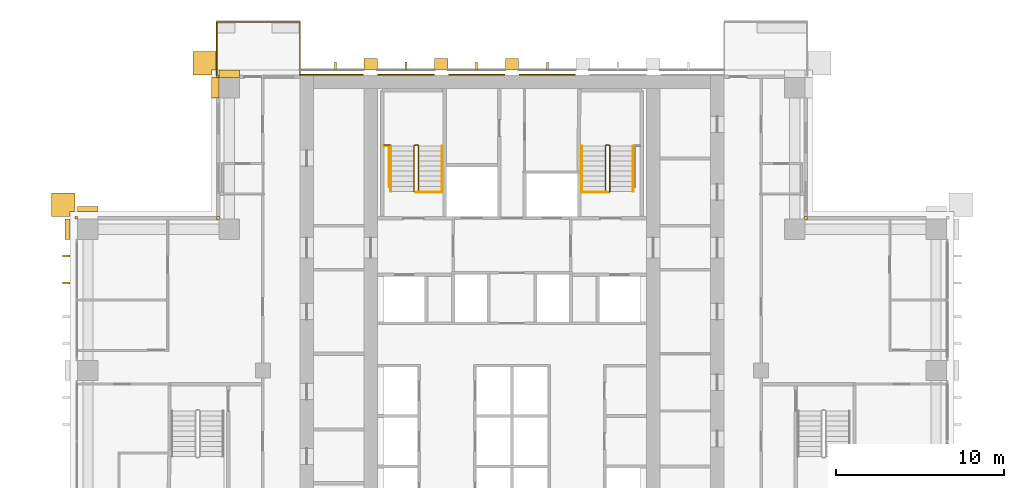
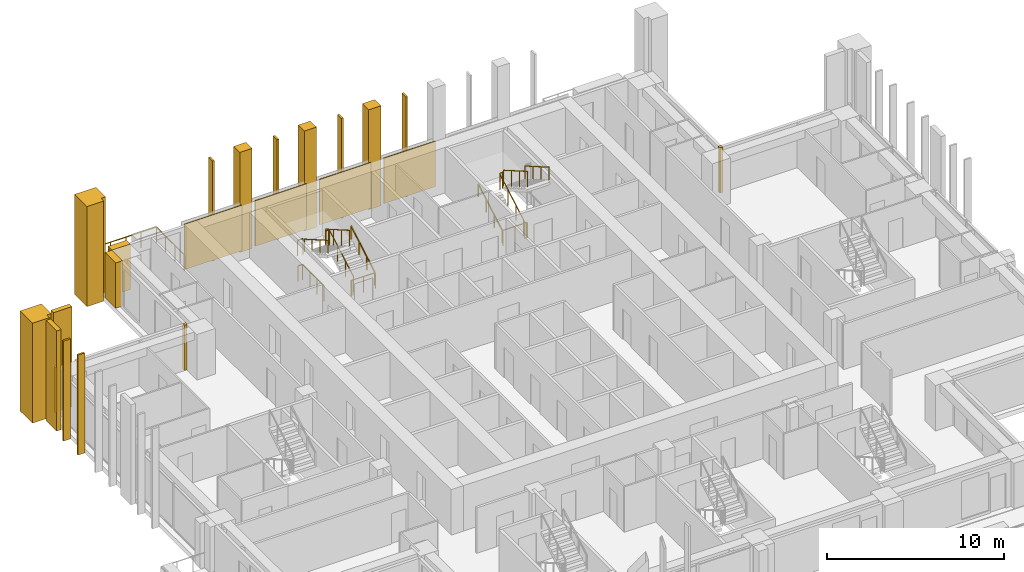
# One storey, part 18 of 19: 23 coverings, 11 railings.
"""IFC4 building model written with IfcOpenShell, lengths in metres."""

from ifc_helpers import new_model, si_unit, direction, frame, origin, origin_2d, place, context, subcontext, project, spatial, polyline, rectangle, outline, extrude, material, layer, layer_set, type_object, element, save


model = new_model("IFC4")

# Units and contexts
model_context = context("Model", 3, precision=1e-05, world=origin(), true_north=direction((0.0, 1.0)))
body_context = subcontext(model_context, "Body", "Model", "MODEL_VIEW")
ifc_project = project(units=[si_unit("LENGTHUNIT", "METRE"), si_unit("AREAUNIT", "SQUARE_METRE"), si_unit("VOLUMEUNIT", "CUBIC_METRE"), si_unit("PLANEANGLEUNIT", "RADIAN"), si_unit("MASSUNIT", "GRAM", prefix="KILO")], contexts=[model_context])

# Site, building, storey
site_placement = place(None, origin())
site = spatial("IfcSite", under=ifc_project, at=site_placement, CompositionType="ELEMENT")
building_placement = place(site_placement, origin())
building = spatial("IfcBuilding", under=site, at=building_placement, Name="Vermilion Ogive Tower", CompositionType="ELEMENT")
storey_placement = place(building_placement, frame((0.0, 0.0, 90.75)))
storey = spatial("IfcBuildingStorey", under=building, at=storey_placement, Name="L22", CompositionType="ELEMENT", Elevation=90.75)

# Railing
ifc_material_1 = material(Name="Stainless steel and glass", Category="steel")
railing_type_1 = type_object("IfcRailingType", Name="Balcony guard", PredefinedType="GUARDRAIL", material=ifc_material_1)
railing_1_placement = place(storey_placement, frame((-12.60009765625, 21.75, -0.0400390625)))
element("IfcRailing", 1, at=railing_1_placement, inside=storey, type_object=railing_type_1, Name="Guard N201", PredefinedType="GUARDRAIL", context=body_context, shape_type="SweptSolid", body=[
    extrude(rectangle(XDim=0.048095703125, YDim=0.048095703125, at=origin_2d()), frame((0.0, 0.0, 1.076171875), z_axis=(0.0, 1.0, 0.0), x_axis=(-1.0, 0.0, 0.0)), (0.0, 0.0, 1.0), 3.159912109375),
    extrude(rectangle(XDim=0.048095703125, YDim=0.048095703125, at=origin_2d()), frame((0.0, 3.159912109375, 1.076171875), z_axis=(-1.0, 0.0, 0.0), x_axis=(0.0, -1.0, 0.0)), (0.0, 0.0, 1.0), 4.949951171875),
    extrude(rectangle(XDim=0.048095703125, YDim=0.048095703125, at=origin_2d()), frame((-4.949951171875, 3.159912109375, 1.076171875), z_axis=(0.0, -1.0, 0.0), x_axis=(1.0, 0.0, 0.0)), (0.0, 0.0, 1.0), 3.159912109375),
    extrude(rectangle(XDim=0.0419921875, YDim=0.0419921875, at=origin_2d()), origin(), (0.0, 0.0, 1.0), 1.052001953125),
    extrude(rectangle(XDim=0.0419921875, YDim=0.0419921875, at=origin_2d()), frame((0.0, 1.05322265625, 0.0)), (0.0, 0.0, 1.0), 1.052001953125),
    extrude(rectangle(XDim=0.0419921875, YDim=0.0419921875, at=origin_2d()), frame((0.0, 2.106689453125, 0.0)), (0.0, 0.0, 1.0), 1.052001953125),
    extrude(rectangle(XDim=0.0419921875, YDim=0.0419921875, at=origin_2d()), frame((0.0, 3.159912109375, 0.0)), (0.0, 0.0, 1.0), 1.052001953125),
    extrude(rectangle(XDim=0.0419921875, YDim=0.0419921875, at=origin_2d()), frame((-0.989990234375, 3.159912109375, 0.0)), (0.0, 0.0, 1.0), 1.052001953125),
    extrude(rectangle(XDim=0.0419921875, YDim=0.0419921875, at=origin_2d()), frame((-1.97998046875, 3.159912109375, 0.0)), (0.0, 0.0, 1.0), 1.052001953125),
    extrude(rectangle(XDim=0.0419921875, YDim=0.0419921875, at=origin_2d()), frame((-2.969970703125, 3.159912109375, 0.0)), (0.0, 0.0, 1.0), 1.052001953125),
    extrude(rectangle(XDim=0.0419921875, YDim=0.0419921875, at=origin_2d()), frame((-3.9599609375, 3.159912109375, 0.0)), (0.0, 0.0, 1.0), 1.052001953125),
    extrude(rectangle(XDim=0.0419921875, YDim=0.0419921875, at=origin_2d()), frame((-4.949951171875, 3.159912109375, 0.0)), (0.0, 0.0, 1.0), 1.052001953125),
    extrude(rectangle(XDim=0.0419921875, YDim=0.0419921875, at=origin_2d()), frame((-4.949951171875, 2.106689453125, 0.0)), (0.0, 0.0, 1.0), 1.052001953125),
    extrude(rectangle(XDim=0.0419921875, YDim=0.0419921875, at=origin_2d()), frame((-4.949951171875, 1.05322265625, 0.0)), (0.0, 0.0, 1.0), 1.052001953125),
    extrude(rectangle(XDim=0.0419921875, YDim=0.0419921875, at=origin_2d()), frame((-4.949951171875, 0.0, 0.0)), (0.0, 0.0, 1.0), 1.052001953125),
])

# Coverings
ifc_material_2 = material(Name="Glazed ceramic screen")
ifc_layer = layer(ifc_material_2, 0.14990234375)
ifc_layer_set = layer_set([ifc_layer], Name="Ceramic solar screen fin")
covering_type_1 = type_object("IfcCoveringType", Name="Ceramic solar screen fin", PredefinedType="CLADDING", material=ifc_layer_set)
covering_1_placement = place(storey_placement, frame((0.0, 0.0, -0.320068359375)))
element("IfcCovering", 2, at=covering_1_placement, inside=storey, type_object=covering_type_1, Name="Solar screen blade W021", PredefinedType="CLADDING", context=body_context, shape_type="SweptSolid", body=[
    extrude(outline(polyline([(-26.699951171875, 11.06005859375), (-26.699951171875, 10.93994140625), (-26.25, 10.93994140625), (-26.25, 11.06005859375), (-26.699951171875, 11.06005859375)])), origin(), (0.0, 0.0, 1.0), 6.900146484375),
])
covering_2_placement = place(storey_placement, frame((0.0, 0.0, -0.320068359375)))
element("IfcCovering", 3, at=covering_2_placement, inside=storey, type_object=covering_type_1, Name="Solar screen blade W022", PredefinedType="CLADDING", context=body_context, shape_type="SweptSolid", body=[
    extrude(outline(polyline([(-26.699951171875, 9.4599609375), (-26.699951171875, 9.340087890625), (-26.25, 9.340087890625), (-26.25, 9.4599609375), (-26.699951171875, 9.4599609375)])), origin(), (0.0, 0.0, 1.0), 6.900146484375),
])
covering_3_placement = place(storey_placement, frame((0.0, 0.0, -0.320068359375)))
element("IfcCovering", 4, at=covering_3_placement, inside=storey, type_object=covering_type_1, Name="Solar screen blade N1", PredefinedType="CLADDING", context=body_context, shape_type="SweptSolid", body=[
    extrude(outline(polyline([(-10.56005859375, 22.08203125), (-10.43994140625, 22.08203125), (-10.43994140625, 22.531982421875), (-10.56005859375, 22.531982421875), (-10.56005859375, 22.08203125)])), origin(), (0.0, 0.0, 1.0), 6.900146484375),
])
covering_4_placement = place(storey_placement, frame((0.0, 0.0, -0.320068359375)))
element("IfcCovering", 5, at=covering_4_placement, inside=storey, type_object=covering_type_1, Name="Solar screen blade N2", PredefinedType="CLADDING", context=body_context, shape_type="SweptSolid", body=[
    extrude(outline(polyline([(-6.360107421875, 22.08203125), (-6.239990234375, 22.08203125), (-6.239990234375, 22.531982421875), (-6.360107421875, 22.531982421875), (-6.360107421875, 22.08203125)])), origin(), (0.0, 0.0, 1.0), 6.900146484375),
])
covering_5_placement = place(storey_placement, frame((0.0, 0.0, -0.320068359375)))
element("IfcCovering", 6, at=covering_5_placement, inside=storey, type_object=covering_type_1, Name="Solar screen blade N3", PredefinedType="CLADDING", context=body_context, shape_type="SweptSolid", body=[
    extrude(outline(polyline([(-2.159912109375, 22.08203125), (-2.0400390625, 22.08203125), (-2.0400390625, 22.531982421875), (-2.159912109375, 22.531982421875), (-2.159912109375, 22.08203125)])), origin(), (0.0, 0.0, 1.0), 6.900146484375),
])
covering_6_placement = place(storey_placement, frame((0.0, 0.0, -0.320068359375)))
element("IfcCovering", 7, at=covering_6_placement, inside=storey, type_object=covering_type_1, Name="Solar screen blade N4", PredefinedType="CLADDING", context=body_context, shape_type="SweptSolid", body=[
    extrude(outline(polyline([(2.0400390625, 22.08203125), (2.159912109375, 22.08203125), (2.159912109375, 22.531982421875), (2.0400390625, 22.531982421875), (2.0400390625, 22.08203125)])), origin(), (0.0, 0.0, 1.0), 6.900146484375),
])

# Railings
ifc_material_3 = material(Name="Steel S355 painted", Category="steel")
railing_type_2 = type_object("IfcRailingType", Name="Stair guard 1100", PredefinedType="GUARDRAIL", material=ifc_material_3)
railing_2_placement = place(storey_placement, frame((-5.75, 14.800048828125, 0.0)))
element("IfcRailing", 8, at=railing_2_placement, inside=storey, type_object=railing_type_2, Name="L22 ST1 stair guard 4", PredefinedType="GUARDRAIL", context=body_context, shape_type="SweptSolid", body=[
    extrude(rectangle(XDim=0.048095703125, YDim=0.048095703125, at=origin_2d()), frame((0.0, 0.0, 1.076171875), z_axis=(1.0, 0.0, 0.0), x_axis=(0.0, 1.0, 0.0)), (0.0, 0.0, 1.0), 0.14990234375),
    extrude(rectangle(XDim=0.048095703125, YDim=0.048095703125, at=origin_2d()), frame((0.14990234375, 0.0, 1.076171875), z_axis=(0.268277960024, 0.268277960024, 0.925231793839), x_axis=(-0.707106781187, 0.707106781187, 0.0)), (0.0, 0.0, 1.0), 0.1865234375),
    extrude(rectangle(XDim=0.048095703125, YDim=0.048095703125, at=origin_2d()), frame((0.199951171875, 0.050048828125, 1.24853515625), z_axis=(0.0, 0.866903762492, 0.498475542607), x_axis=(-1.0, 0.0, 0.0)), (0.0, 0.0, 1.0), 3.114501953125),
    extrude(rectangle(XDim=0.048095703125, YDim=0.048095703125, at=origin_2d()), frame((0.199951171875, 2.75, 2.80126953125), z_axis=(-0.707106781187, 0.707106781187, 0.0), x_axis=(-0.707106781187, -0.707106781187, 0.0)), (0.0, 0.0, 1.0), 0.07080078125),
    extrude(rectangle(XDim=0.048095703125, YDim=0.048095703125, at=origin_2d()), frame((0.14990234375, 2.800048828125, 2.80126953125), z_axis=(-1.0, 0.0, 0.0), x_axis=(0.0, -1.0, 0.0)), (0.0, 0.0, 1.0), 0.14990234375),
    extrude(rectangle(XDim=0.048095703125, YDim=0.048095703125, at=origin_2d()), frame((0.0, 2.800048828125, 2.80126953125), z_axis=(-0.268603158521, -0.268603158521, 0.925043072762), x_axis=(0.707106781187, -0.707106781187, 0.0)), (0.0, 0.0, 1.0), 0.186279296875),
    extrude(rectangle(XDim=0.048095703125, YDim=0.048095703125, at=origin_2d()), frame((-0.050048828125, 2.75, 2.9736328125), z_axis=(0.0, -0.866903762492, 0.498475542607), x_axis=(1.0, 0.0, 0.0)), (0.0, 0.0, 1.0), 3.114501953125),
    extrude(rectangle(XDim=0.0419921875, YDim=0.0419921875, at=origin_2d()), origin(), (0.0, 0.0, 1.0), 1.052001953125),
    extrude(rectangle(XDim=0.0419921875, YDim=0.0419921875, at=origin_2d()), frame((0.14990234375, 0.0, 0.0)), (0.0, 0.0, 1.0), 1.052001953125),
    extrude(rectangle(XDim=0.0419921875, YDim=0.0419921875, at=origin_2d()), frame((0.199951171875, 0.050048828125, 0.172607421875)), (0.0, 0.0, 1.0), 1.052001953125),
    extrude(rectangle(XDim=0.0419921875, YDim=0.0419921875, at=origin_2d()), frame((0.199951171875, 0.949951171875, 0.690185546875)), (0.0, 0.0, 1.0), 1.052001953125),
    extrude(rectangle(XDim=0.0419921875, YDim=0.0419921875, at=origin_2d()), frame((0.199951171875, 1.85009765625, 1.20751953125)), (0.0, 0.0, 1.0), 1.052001953125),
    extrude(rectangle(XDim=0.0419921875, YDim=0.0419921875, at=origin_2d()), frame((0.199951171875, 2.75, 1.72509765625)), (0.0, 0.0, 1.0), 1.052001953125),
    extrude(rectangle(XDim=0.0419921875, YDim=0.0419921875, at=origin_2d()), frame((0.14990234375, 2.800048828125, 1.72509765625)), (0.0, 0.0, 1.0), 1.052001953125),
    extrude(rectangle(XDim=0.0419921875, YDim=0.0419921875, at=origin_2d()), frame((0.0, 2.800048828125, 1.72509765625)), (0.0, 0.0, 1.0), 1.052001953125),
    extrude(rectangle(XDim=0.0419921875, YDim=0.0419921875, at=origin_2d()), frame((-0.050048828125, 2.75, 1.8974609375)), (0.0, 0.0, 1.0), 1.052001953125),
    extrude(rectangle(XDim=0.0419921875, YDim=0.0419921875, at=origin_2d()), frame((-0.050048828125, 1.85009765625, 2.4150390625)), (0.0, 0.0, 1.0), 1.052001953125),
    extrude(rectangle(XDim=0.0419921875, YDim=0.0419921875, at=origin_2d()), frame((-0.050048828125, 0.949951171875, 2.932373046875)), (0.0, 0.0, 1.0), 1.052001953125),
    extrude(rectangle(XDim=0.0419921875, YDim=0.0419921875, at=origin_2d()), frame((-0.050048828125, 0.050048828125, 3.449951171875)), (0.0, 0.0, 1.0), 1.052001953125),
])
railing_3_placement = place(storey_placement, frame((5.75, 14.800048828125, 0.0)))
element("IfcRailing", 9, at=railing_3_placement, inside=storey, type_object=railing_type_2, Name="L22 ST2 stair guard 4", PredefinedType="GUARDRAIL", context=body_context, shape_type="SweptSolid", body=[
    extrude(rectangle(XDim=0.048095703125, YDim=0.048095703125, at=origin_2d()), frame((0.0, 0.0, 1.076171875), z_axis=(-1.0, 0.0, 0.0), x_axis=(0.0, -1.0, 0.0)), (0.0, 0.0, 1.0), 0.14990234375),
    extrude(rectangle(XDim=0.048095703125, YDim=0.048095703125, at=origin_2d()), frame((-0.14990234375, 0.0, 1.076171875), z_axis=(-0.268277960024, 0.268277960024, 0.925231793839), x_axis=(-0.707106781187, -0.707106781187, 0.0)), (0.0, 0.0, 1.0), 0.1865234375),
    extrude(rectangle(XDim=0.048095703125, YDim=0.048095703125, at=origin_2d()), frame((-0.199951171875, 0.050048828125, 1.24853515625), z_axis=(0.0, 0.866903762492, 0.498475542607), x_axis=(-1.0, 0.0, 0.0)), (0.0, 0.0, 1.0), 3.114501953125),
    extrude(rectangle(XDim=0.048095703125, YDim=0.048095703125, at=origin_2d()), frame((-0.199951171875, 2.75, 2.80126953125), z_axis=(0.707106781187, 0.707106781187, 0.0), x_axis=(-0.707106781187, 0.707106781187, 0.0)), (0.0, 0.0, 1.0), 0.07080078125),
    extrude(rectangle(XDim=0.048095703125, YDim=0.048095703125, at=origin_2d()), frame((-0.14990234375, 2.800048828125, 2.80126953125), z_axis=(1.0, 0.0, 0.0), x_axis=(0.0, 1.0, 0.0)), (0.0, 0.0, 1.0), 0.14990234375),
    extrude(rectangle(XDim=0.048095703125, YDim=0.048095703125, at=origin_2d()), frame((0.0, 2.800048828125, 2.80126953125), z_axis=(0.268603158521, -0.268603158521, 0.925043072762), x_axis=(0.707106781187, 0.707106781187, 0.0)), (0.0, 0.0, 1.0), 0.186279296875),
    extrude(rectangle(XDim=0.048095703125, YDim=0.048095703125, at=origin_2d()), frame((0.050048828125, 2.75, 2.9736328125), z_axis=(0.0, -0.866903762492, 0.498475542607), x_axis=(1.0, 0.0, 0.0)), (0.0, 0.0, 1.0), 3.114501953125),
    extrude(rectangle(XDim=0.0419921875, YDim=0.0419921875, at=origin_2d()), origin(), (0.0, 0.0, 1.0), 1.052001953125),
    extrude(rectangle(XDim=0.0419921875, YDim=0.0419921875, at=origin_2d()), frame((-0.14990234375, 0.0, 0.0)), (0.0, 0.0, 1.0), 1.052001953125),
    extrude(rectangle(XDim=0.0419921875, YDim=0.0419921875, at=origin_2d()), frame((-0.199951171875, 0.050048828125, 0.172607421875)), (0.0, 0.0, 1.0), 1.052001953125),
    extrude(rectangle(XDim=0.0419921875, YDim=0.0419921875, at=origin_2d()), frame((-0.199951171875, 0.949951171875, 0.690185546875)), (0.0, 0.0, 1.0), 1.052001953125),
    extrude(rectangle(XDim=0.0419921875, YDim=0.0419921875, at=origin_2d()), frame((-0.199951171875, 1.85009765625, 1.20751953125)), (0.0, 0.0, 1.0), 1.052001953125),
    extrude(rectangle(XDim=0.0419921875, YDim=0.0419921875, at=origin_2d()), frame((-0.199951171875, 2.75, 1.72509765625)), (0.0, 0.0, 1.0), 1.052001953125),
    extrude(rectangle(XDim=0.0419921875, YDim=0.0419921875, at=origin_2d()), frame((-0.14990234375, 2.800048828125, 1.72509765625)), (0.0, 0.0, 1.0), 1.052001953125),
    extrude(rectangle(XDim=0.0419921875, YDim=0.0419921875, at=origin_2d()), frame((0.0, 2.800048828125, 1.72509765625)), (0.0, 0.0, 1.0), 1.052001953125),
    extrude(rectangle(XDim=0.0419921875, YDim=0.0419921875, at=origin_2d()), frame((0.050048828125, 2.75, 1.8974609375)), (0.0, 0.0, 1.0), 1.052001953125),
    extrude(rectangle(XDim=0.0419921875, YDim=0.0419921875, at=origin_2d()), frame((0.050048828125, 1.85009765625, 2.4150390625)), (0.0, 0.0, 1.0), 1.052001953125),
    extrude(rectangle(XDim=0.0419921875, YDim=0.0419921875, at=origin_2d()), frame((0.050048828125, 0.949951171875, 2.932373046875)), (0.0, 0.0, 1.0), 1.052001953125),
    extrude(rectangle(XDim=0.0419921875, YDim=0.0419921875, at=origin_2d()), frame((0.050048828125, 0.050048828125, 3.449951171875)), (0.0, 0.0, 1.0), 1.052001953125),
])
railing_4_placement = place(storey_placement, frame((-7.60009765625, 17.60009765625, 1.72509765625)))
element("IfcRailing", 10, at=railing_4_placement, inside=storey, type_object=railing_type_2, Name="L22 landing guard", PredefinedType="GUARDRAIL", context=body_context, shape_type="SweptSolid", body=[
    extrude(rectangle(XDim=0.048095703125, YDim=0.048095703125, at=origin_2d()), frame((0.0, 0.0, 1.076171875), z_axis=(1.0, 0.0, 0.0), x_axis=(0.0, 1.0, 0.0)), (0.0, 0.0, 1.0), 0.35009765625),
    extrude(rectangle(XDim=0.0419921875, YDim=0.0419921875, at=origin_2d()), origin(), (0.0, 0.0, 1.0), 1.052001953125),
    extrude(rectangle(XDim=0.0419921875, YDim=0.0419921875, at=origin_2d()), frame((0.35009765625, 0.0, 0.0)), (0.0, 0.0, 1.0), 1.052001953125),
])
railing_5_placement = place(storey_placement, frame((-4.159912109375, 14.7900390625, 0.0)))
element("IfcRailing", 11, at=railing_5_placement, inside=storey, type_object=railing_type_2, Name="L22 stair opening guard", PredefinedType="GUARDRAIL", context=body_context, shape_type="SweptSolid", body=[
    extrude(rectangle(XDim=0.048095703125, YDim=0.048095703125, at=origin_2d()), frame((0.0, 0.0, 1.076171875), z_axis=(-1.0, 0.0, 0.0), x_axis=(0.0, -1.0, 0.0)), (0.0, 0.0, 1.0), 1.5400390625),
    extrude(rectangle(XDim=0.0419921875, YDim=0.0419921875, at=origin_2d()), origin(), (0.0, 0.0, 1.0), 1.052001953125),
    extrude(rectangle(XDim=0.0419921875, YDim=0.0419921875, at=origin_2d()), frame((-0.77001953125, 0.0, 0.0)), (0.0, 0.0, 1.0), 1.052001953125),
    extrude(rectangle(XDim=0.0419921875, YDim=0.0419921875, at=origin_2d()), frame((-1.5400390625, 0.0, 0.0)), (0.0, 0.0, 1.0), 1.052001953125),
])
railing_6_placement = place(storey_placement, frame((-7.3095703125, 15.11865234375, 0.0)))
element("IfcRailing", 12, at=railing_6_placement, inside=storey, type_object=railing_type_2, Name="L22 stair opening guard", PredefinedType="GUARDRAIL", context=body_context, shape_type="SweptSolid", body=[
    extrude(rectangle(XDim=0.048095703125, YDim=0.048095703125, at=origin_2d()), frame((0.0, 0.0, 1.076171875), z_axis=(0.0, 1.0, 0.0), x_axis=(-1.0, 0.0, 0.0)), (0.0, 0.0, 1.0), 2.42431640625),
    extrude(rectangle(XDim=0.048095703125, YDim=0.048095703125, at=origin_2d()), frame((0.0, 2.42431640625, 1.076171875), z_axis=(-1.0, 0.0, 0.0), x_axis=(0.0, -1.0, 0.0)), (0.0, 0.0, 1.0), 0.2900390625),
    extrude(rectangle(XDim=0.0419921875, YDim=0.0419921875, at=origin_2d()), origin(), (0.0, 0.0, 1.0), 1.052001953125),
    extrude(rectangle(XDim=0.0419921875, YDim=0.0419921875, at=origin_2d()), frame((0.0, 0.80810546875, 0.0)), (0.0, 0.0, 1.0), 1.052001953125),
    extrude(rectangle(XDim=0.0419921875, YDim=0.0419921875, at=origin_2d()), frame((0.0, 1.6162109375, 0.0)), (0.0, 0.0, 1.0), 1.052001953125),
    extrude(rectangle(XDim=0.0419921875, YDim=0.0419921875, at=origin_2d()), frame((0.0, 2.42431640625, 0.0)), (0.0, 0.0, 1.0), 1.052001953125),
    extrude(rectangle(XDim=0.0419921875, YDim=0.0419921875, at=origin_2d()), frame((-0.2900390625, 2.42431640625, 0.0)), (0.0, 0.0, 1.0), 1.052001953125),
])
railing_7_placement = place(storey_placement, frame((5.699951171875, 14.7900390625, 0.0)))
element("IfcRailing", 13, at=railing_7_placement, inside=storey, type_object=railing_type_2, Name="L22 stair opening guard", PredefinedType="GUARDRAIL", context=body_context, shape_type="SweptSolid", body=[
    extrude(rectangle(XDim=0.048095703125, YDim=0.048095703125, at=origin_2d()), frame((0.0, 0.0, 1.076171875), z_axis=(-1.0, 0.0, 0.0), x_axis=(0.0, -1.0, 0.0)), (0.0, 0.0, 1.0), 1.5400390625),
    extrude(rectangle(XDim=0.0419921875, YDim=0.0419921875, at=origin_2d()), origin(), (0.0, 0.0, 1.0), 1.052001953125),
    extrude(rectangle(XDim=0.0419921875, YDim=0.0419921875, at=origin_2d()), frame((-0.77001953125, 0.0, 0.0)), (0.0, 0.0, 1.0), 1.052001953125),
    extrude(rectangle(XDim=0.0419921875, YDim=0.0419921875, at=origin_2d()), frame((-1.5400390625, 0.0, 0.0)), (0.0, 0.0, 1.0), 1.052001953125),
])
ifc_material_4 = material(Name="Stainless steel", Category="steel")
railing_type_3 = type_object("IfcRailingType", Name="Stair handrail 900", PredefinedType="HANDRAIL", material=ifc_material_4)
railing_8_placement = place(storey_placement, frame((-4.14990234375, 14.85009765625, 0.172607421875)))
element("IfcRailing", 14, at=railing_8_placement, inside=storey, type_object=railing_type_3, Name="L22 ST1 stair handrail 1", PredefinedType="HANDRAIL", context=body_context, shape_type="SweptSolid", body=[
    extrude(rectangle(XDim=0.048095703125, YDim=0.048095703125, at=origin_2d()), frame((0.0, 0.0, 0.8759765625), z_axis=(0.0, 0.866903762492, 0.498475542607), x_axis=(-1.0, 0.0, 0.0)), (0.0, 0.0, 1.0), 3.114501953125),
    extrude(rectangle(XDim=0.0419921875, YDim=0.0419921875, at=origin_2d()), origin(), (0.0, 0.0, 1.0), 0.851806640625),
    extrude(rectangle(XDim=0.0419921875, YDim=0.0419921875, at=origin_2d()), frame((0.0, 0.89990234375, 0.517578125)), (0.0, 0.0, 1.0), 0.851806640625),
    extrude(rectangle(XDim=0.0419921875, YDim=0.0419921875, at=origin_2d()), frame((0.0, 1.800048828125, 1.034912109375)), (0.0, 0.0, 1.0), 0.851806640625),
    extrude(rectangle(XDim=0.0419921875, YDim=0.0419921875, at=origin_2d()), frame((0.0, 2.699951171875, 1.552490234375)), (0.0, 0.0, 1.0), 0.851806640625),
])
railing_9_placement = place(storey_placement, frame((-7.199951171875, 17.550048828125, 1.8974609375)))
element("IfcRailing", 15, at=railing_9_placement, inside=storey, type_object=railing_type_3, Name="L22 ST1 stair handrail 2", PredefinedType="HANDRAIL", context=body_context, shape_type="SweptSolid", body=[
    extrude(rectangle(XDim=0.048095703125, YDim=0.048095703125, at=origin_2d()), frame((0.0, 0.0, 0.8759765625), z_axis=(0.0, -0.866903762492, 0.498475542607), x_axis=(1.0, 0.0, 0.0)), (0.0, 0.0, 1.0), 3.114501953125),
    extrude(rectangle(XDim=0.0419921875, YDim=0.0419921875, at=origin_2d()), origin(), (0.0, 0.0, 1.0), 0.851806640625),
    extrude(rectangle(XDim=0.0419921875, YDim=0.0419921875, at=origin_2d()), frame((0.0, -0.89990234375, 0.517578125)), (0.0, 0.0, 1.0), 0.851806640625),
    extrude(rectangle(XDim=0.0419921875, YDim=0.0419921875, at=origin_2d()), frame((0.0, -1.800048828125, 1.034912109375)), (0.0, 0.0, 1.0), 0.851806640625),
    extrude(rectangle(XDim=0.0419921875, YDim=0.0419921875, at=origin_2d()), frame((0.0, -2.699951171875, 1.552490234375)), (0.0, 0.0, 1.0), 0.851806640625),
])
railing_10_placement = place(storey_placement, frame((4.14990234375, 14.85009765625, 0.172607421875)))
element("IfcRailing", 16, at=railing_10_placement, inside=storey, type_object=railing_type_3, Name="L22 ST2 stair handrail 1", PredefinedType="HANDRAIL", context=body_context, shape_type="SweptSolid", body=[
    extrude(rectangle(XDim=0.048095703125, YDim=0.048095703125, at=origin_2d()), frame((0.0, 0.0, 0.8759765625), z_axis=(0.0, 0.866903762492, 0.498475542607), x_axis=(-1.0, 0.0, 0.0)), (0.0, 0.0, 1.0), 3.114501953125),
    extrude(rectangle(XDim=0.0419921875, YDim=0.0419921875, at=origin_2d()), origin(), (0.0, 0.0, 1.0), 0.851806640625),
    extrude(rectangle(XDim=0.0419921875, YDim=0.0419921875, at=origin_2d()), frame((0.0, 0.89990234375, 0.517578125)), (0.0, 0.0, 1.0), 0.851806640625),
    extrude(rectangle(XDim=0.0419921875, YDim=0.0419921875, at=origin_2d()), frame((0.0, 1.800048828125, 1.034912109375)), (0.0, 0.0, 1.0), 0.851806640625),
    extrude(rectangle(XDim=0.0419921875, YDim=0.0419921875, at=origin_2d()), frame((0.0, 2.699951171875, 1.552490234375)), (0.0, 0.0, 1.0), 0.851806640625),
])
railing_11_placement = place(storey_placement, frame((7.199951171875, 17.550048828125, 1.8974609375)))
element("IfcRailing", 17, at=railing_11_placement, inside=storey, type_object=railing_type_3, Name="L22 ST2 stair handrail 2", PredefinedType="HANDRAIL", context=body_context, shape_type="SweptSolid", body=[
    extrude(rectangle(XDim=0.048095703125, YDim=0.048095703125, at=origin_2d()), frame((0.0, 0.0, 0.8759765625), z_axis=(0.0, -0.866903762492, 0.498475542607), x_axis=(1.0, 0.0, 0.0)), (0.0, 0.0, 1.0), 3.114501953125),
    extrude(rectangle(XDim=0.0419921875, YDim=0.0419921875, at=origin_2d()), origin(), (0.0, 0.0, 1.0), 0.851806640625),
    extrude(rectangle(XDim=0.0419921875, YDim=0.0419921875, at=origin_2d()), frame((0.0, -0.89990234375, 0.517578125)), (0.0, 0.0, 1.0), 0.851806640625),
    extrude(rectangle(XDim=0.0419921875, YDim=0.0419921875, at=origin_2d()), frame((0.0, -1.800048828125, 1.034912109375)), (0.0, 0.0, 1.0), 0.851806640625),
    extrude(rectangle(XDim=0.0419921875, YDim=0.0419921875, at=origin_2d()), frame((0.0, -2.699951171875, 1.552490234375)), (0.0, 0.0, 1.0), 0.851806640625),
])

# Coverings
ifc_material_5 = material(Name="Stone cladding", Category="masonry")
covering_type_2 = type_object("IfcCoveringType", Name="Stone buttress pier", PredefinedType="CLADDING", material=ifc_material_5)
covering_7_placement = place(storey_placement, frame((0.0, 0.0, -0.320068359375)))
element("IfcCovering", 18, at=covering_7_placement, inside=storey, type_object=covering_type_2, Name="Stone buttress pier N1", PredefinedType="CLADDING", context=body_context, shape_type="SweptSolid", body=[
    extrude(outline(polyline([(-8.0, 22.75), (-8.0, 22.050048828125), (-8.800048828125, 22.050048828125), (-8.800048828125, 22.75), (-8.0, 22.75)])), origin(), (0.0, 0.0, 1.0), 6.900146484375),
])
covering_8_placement = place(storey_placement, frame((0.0, 0.0, -0.320068359375)))
element("IfcCovering", 19, at=covering_8_placement, inside=storey, type_object=covering_type_2, Name="Stone buttress pier N2", PredefinedType="CLADDING", context=body_context, shape_type="SweptSolid", body=[
    extrude(outline(polyline([(-3.800048828125, 22.75), (-3.800048828125, 22.050048828125), (-4.60009765625, 22.050048828125), (-4.60009765625, 22.75), (-3.800048828125, 22.75)])), origin(), (0.0, 0.0, 1.0), 6.900146484375),
])
covering_9_placement = place(storey_placement, frame((0.0, 0.0, -0.320068359375)))
element("IfcCovering", 20, at=covering_9_placement, inside=storey, type_object=covering_type_2, Name="Stone buttress pier N3", PredefinedType="CLADDING", context=body_context, shape_type="SweptSolid", body=[
    extrude(outline(polyline([(0.39990234375, 22.75), (0.39990234375, 22.050048828125), (-0.39990234375, 22.050048828125), (-0.39990234375, 22.75), (0.39990234375, 22.75)])), origin(), (0.0, 0.0, 1.0), 6.900146484375),
])
ifc_material_6 = material(Name="Stone cladding", Category="masonry")
covering_type_3 = type_object("IfcCoveringType", Name="Stone cladding panel", PredefinedType="CLADDING", material=ifc_material_6)
covering_10_placement = place(storey_placement, origin())
element("IfcCovering", 21, at=covering_10_placement, inside=storey, type_object=covering_type_3, Name="Stone cladding panel N1", PredefinedType="CLADDING", context=body_context, shape_type="SweptSolid", body=[
    extrude(outline(polyline([(-12.590087890625, 21.75), (-8.830078125, 21.75), (-8.830078125, 21.81005859375), (-12.590087890625, 21.81005859375), (-12.590087890625, 21.75)])), origin(), (0.0, 0.0, 1.0), 3.1298828125),
])
covering_11_placement = place(storey_placement, origin())
element("IfcCovering", 22, at=covering_11_placement, inside=storey, type_object=covering_type_3, Name="Stone cladding panel N2", PredefinedType="CLADDING", context=body_context, shape_type="SweptSolid", body=[
    extrude(outline(polyline([(-7.969970703125, 21.75), (-4.6298828125, 21.75), (-4.6298828125, 21.81005859375), (-7.969970703125, 21.81005859375), (-7.969970703125, 21.75)])), origin(), (0.0, 0.0, 1.0), 3.1298828125),
])
covering_12_placement = place(storey_placement, origin())
element("IfcCovering", 23, at=covering_12_placement, inside=storey, type_object=covering_type_3, Name="Stone cladding panel N3", PredefinedType="CLADDING", context=body_context, shape_type="SweptSolid", body=[
    extrude(outline(polyline([(-3.77001953125, 21.75), (-0.429931640625, 21.75), (-0.429931640625, 21.81005859375), (-3.77001953125, 21.81005859375), (-3.77001953125, 21.75)])), origin(), (0.0, 0.0, 1.0), 3.1298828125),
])
covering_13_placement = place(storey_placement, origin())
element("IfcCovering", 24, at=covering_13_placement, inside=storey, type_object=covering_type_3, Name="Stone cladding panel N4", PredefinedType="CLADDING", context=body_context, shape_type="SweptSolid", body=[
    extrude(outline(polyline([(0.429931640625, 21.75), (3.77001953125, 21.75), (3.77001953125, 21.81005859375), (0.429931640625, 21.81005859375), (0.429931640625, 21.75)])), origin(), (0.0, 0.0, 1.0), 3.1298828125),
])
ifc_material_7 = material(Name="Stone cladding", Category="masonry")
covering_type_4 = type_object("IfcCoveringType", Name="Stone corner buttress", PredefinedType="CLADDING", material=ifc_material_7)
covering_14_placement = place(storey_placement, frame((0.0, 0.0, -0.320068359375)))
element("IfcCovering", 25, at=covering_14_placement, inside=storey, type_object=covering_type_4, Name="Stone corner buttress X51", PredefinedType="CLADDING", context=body_context, shape_type="SweptSolid", body=[
    extrude(outline(polyline([(-17.550048828125, 23.14990234375), (-17.550048828125, 22.050048828125), (-17.85009765625, 22.050048828125), (-17.85009765625, 21.75), (-18.949951171875, 21.75), (-18.949951171875, 23.14990234375), (-17.550048828125, 23.14990234375)])), origin(), (0.0, 0.0, 1.0), 6.900146484375),
])
covering_15_placement = place(storey_placement, frame((0.0, 0.0, -0.320068359375)))
element("IfcCovering", 26, at=covering_15_placement, inside=storey, type_object=covering_type_4, Name="Stone corner buttress W1", PredefinedType="CLADDING", context=body_context, shape_type="SweptSolid", body=[
    extrude(outline(polyline([(-25.949951171875, 13.64990234375), (-26.25, 13.64990234375), (-26.25, 13.35009765625), (-27.35009765625, 13.35009765625), (-27.35009765625, 14.75), (-25.949951171875, 14.75), (-25.949951171875, 13.64990234375)])), origin(), (0.0, 0.0, 1.0), 6.900146484375),
])
ifc_material_8 = material(Name="Stone cladding", Category="masonry")
covering_type_5 = type_object("IfcCoveringType", Name="Stone pier", PredefinedType="CLADDING", material=ifc_material_8)
covering_16_placement = place(storey_placement, origin())
element("IfcCovering", 27, at=covering_16_placement, inside=storey, type_object=covering_type_5, Name="Stone corner pier X3E1", PredefinedType="CLADDING", context=body_context, shape_type="SweptSolid", body=[
    extrude(outline(polyline([(17.39990234375, 13.14990234375), (17.39990234375, 13.199951171875), (17.35009765625, 13.199951171875), (17.35009765625, 13.35009765625), (17.550048828125, 13.35009765625), (17.550048828125, 13.14990234375), (17.39990234375, 13.14990234375)])), origin(), (0.0, 0.0, 1.0), 3.1298828125),
])
covering_17_placement = place(storey_placement, origin())
element("IfcCovering", 28, at=covering_17_placement, inside=storey, type_object=covering_type_5, Name="Stone corner pier N2E1", PredefinedType="CLADDING", context=body_context, shape_type="SweptSolid", body=[
    extrude(outline(polyline([(-17.39990234375, 21.75), (-17.39990234375, 21.60009765625), (-17.39990234375, 21.60009765625), (-17.550048828125, 21.60009765625), (-17.550048828125, 21.75), (-17.39990234375, 21.75)])), origin(), (0.0, 0.0, 1.0), 3.1298828125),
])
covering_18_placement = place(storey_placement, origin())
element("IfcCovering", 29, at=covering_18_placement, inside=storey, type_object=covering_type_5, Name="Stone corner pier X5E1", PredefinedType="CLADDING", context=body_context, shape_type="SweptSolid", body=[
    extrude(outline(polyline([(-17.35009765625, 13.199951171875), (-17.39990234375, 13.199951171875), (-17.39990234375, 13.14990234375), (-17.550048828125, 13.14990234375), (-17.550048828125, 13.35009765625), (-17.35009765625, 13.35009765625), (-17.35009765625, 13.199951171875)])), origin(), (0.0, 0.0, 1.0), 3.1298828125),
])
covering_19_placement = place(storey_placement, origin())
element("IfcCovering", 30, at=covering_19_placement, inside=storey, type_object=covering_type_5, Name="Stone corner pier X6E1", PredefinedType="CLADDING", context=body_context, shape_type="SweptSolid", body=[
    extrude(outline(polyline([(-25.800048828125, 13.35009765625), (-25.800048828125, 13.199951171875), (-25.949951171875, 13.199951171875), (-25.949951171875, 13.35009765625), (-25.800048828125, 13.35009765625)])), origin(), (0.0, 0.0, 1.0), 3.1298828125),
])
covering_20_placement = place(storey_placement, frame((0.0, 0.0, -0.320068359375)))
element("IfcCovering", 31, at=covering_20_placement, inside=storey, type_object=covering_type_5, Name="Stone pier P-0252+126X6", PredefinedType="CLADDING", context=body_context, shape_type="SweptSolid", body=[
    extrude(outline(polyline([(-25.800048828125, 13.949951171875), (-24.60009765625, 13.949951171875), (-24.60009765625, 13.64990234375), (-25.800048828125, 13.64990234375), (-25.800048828125, 13.949951171875)])), origin(), (0.0, 0.0, 1.0), 6.900146484375),
])
covering_21_placement = place(storey_placement, frame((0.0, 0.0, -0.320068359375)))
element("IfcCovering", 32, at=covering_21_placement, inside=storey, type_object=covering_type_5, Name="Stone pier P-0252+126W", PredefinedType="CLADDING", context=body_context, shape_type="SweptSolid", body=[
    extrude(outline(polyline([(-26.550048828125, 13.199951171875), (-26.25, 13.199951171875), (-26.25, 12.0), (-26.550048828125, 12.0), (-26.550048828125, 13.199951171875)])), origin(), (0.0, 0.0, 1.0), 6.900146484375),
])
covering_22_placement = place(storey_placement, origin())
element("IfcCovering", 33, at=covering_22_placement, inside=storey, type_object=covering_type_5, Name="Stone pier P-0168+210N2", PredefinedType="CLADDING", context=body_context, shape_type="SweptSolid", body=[
    extrude(outline(polyline([(-17.39990234375, 22.050048828125), (-16.199951171875, 22.050048828125), (-16.199951171875, 21.60009765625), (-17.39990234375, 21.60009765625), (-17.39990234375, 22.050048828125)])), origin(), (0.0, 0.0, 1.0), 3.1298828125),
])
covering_23_placement = place(storey_placement, origin())
element("IfcCovering", 34, at=covering_23_placement, inside=storey, type_object=covering_type_5, Name="Stone pier P-0168+210X5", PredefinedType="CLADDING", context=body_context, shape_type="SweptSolid", body=[
    extrude(outline(polyline([(-17.85009765625, 21.60009765625), (-17.39990234375, 21.60009765625), (-17.39990234375, 20.39990234375), (-17.85009765625, 20.39990234375), (-17.85009765625, 21.60009765625)])), origin(), (0.0, 0.0, 1.0), 3.1298828125),
])

save(model, "model.ifc")
